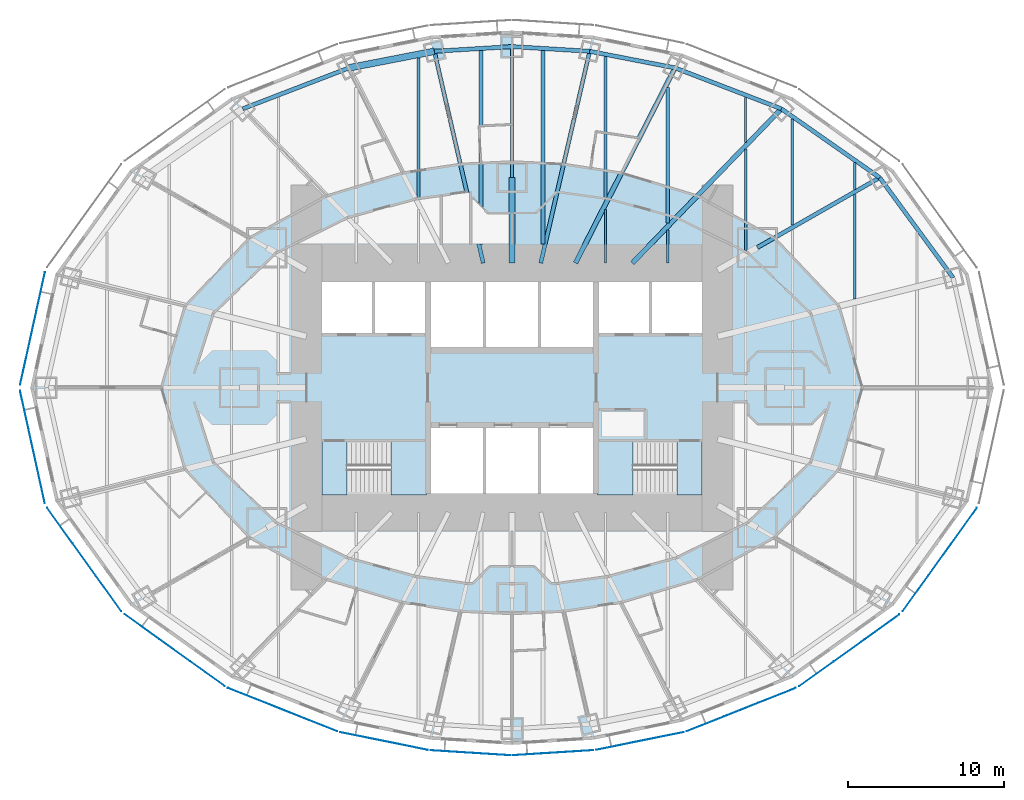
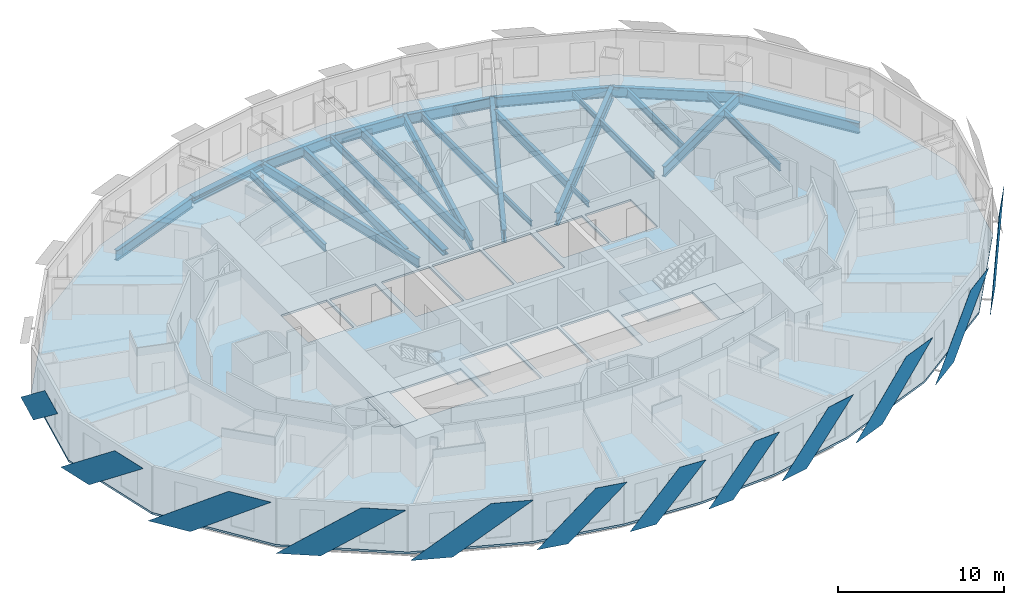
# One storey, part 3 of 15: 27 beams, 12 plates, 5 slabs, 2 elements without a shape of their own.
"""IFC4 building model written with IfcOpenShell, lengths in metres."""

from ifc_helpers import new_model, si_unit, direction, frame, origin, origin_2d, place, context, subcontext, project, spatial, polyline, i_section, outline, extrude, material, layer, layer_set, material_profile, profile_set, type_object, element, aggregate, save


model = new_model("IFC4")

# Units and contexts
model_context = context("Model", 3, precision=1e-05, world=origin(), true_north=direction((0.0, 1.0)))
body_context = subcontext(model_context, "Body", "Model", "MODEL_VIEW")
ifc_project = project(units=[si_unit("LENGTHUNIT", "METRE"), si_unit("AREAUNIT", "SQUARE_METRE"), si_unit("VOLUMEUNIT", "CUBIC_METRE"), si_unit("PLANEANGLEUNIT", "RADIAN"), si_unit("MASSUNIT", "GRAM", prefix="KILO")], contexts=[model_context])

# Site, building, storey
site_placement = place(None, origin())
site = spatial("IfcSite", under=ifc_project, at=site_placement, CompositionType="ELEMENT")
building_placement = place(site_placement, origin())
building = spatial("IfcBuilding", under=site, at=building_placement, Name="Lantaw Convention Tower", CompositionType="ELEMENT")
storey_placement = place(building_placement, frame((0.0, 0.0, 101.800048828125)))
storey = spatial("IfcBuildingStorey", under=building, at=storey_placement, Name="L24", CompositionType="ELEMENT", Elevation=101.800048828125)

# Beams
ifc_material_1 = material(Name="Steel ASTM A992", Category="steel")
ifc_material_profile_1 = material_profile(ifc_material_1, i_section(OverallWidth=0.431884765625, OverallDepth=0.497802734375, WebThickness=0.0556640625, FlangeThickness=0.0888671875, FilletRadius=0.01513671875, at=origin_2d()), Name="W14X500")
ifc_profile_set_1 = profile_set([ifc_material_profile_1], Name="Steel ASTM A992")
beam_type_1 = type_object("IfcBeamType", Name="Beam E W14X500", PredefinedType="SPANDREL", material=ifc_profile_set_1)
beam_1_placement = place(storey_placement, frame((-4.986328125, 21.59814453125, -0.39892578125), z_axis=(-0.981636565323, -0.190760723474, 0.0), x_axis=(0.190760723474, -0.981636565323, 0.0)))
element("IfcBeam", 1, at=beam_1_placement, inside=storey, type_object=beam_type_1, Name="Edge beam 8", PredefinedType="SPANDREL", context=body_context, shape_type="SweptSolid", body=[
    extrude(i_section(OverallWidth=0.431884765625, OverallDepth=0.497802734375, WebThickness=0.0556640625, FlangeThickness=0.0888671875, FilletRadius=0.01513671875, at=origin_2d()), origin(), (0.0, 0.0, 1.0), 5.578857421875),
])
ifc_material_profile_2 = material_profile(ifc_material_1, i_section(OverallWidth=0.2666015625, OverallDepth=0.76953125, WebThickness=0.015625, FlangeThickness=0.025390625, FilletRadius=0.0126953125, at=origin_2d()), Name="W30X132")
ifc_profile_set_2 = profile_set([ifc_material_profile_2], Name="Steel ASTM A992")
beam_type_2 = type_object("IfcBeamType", Name="Beam E W30X132", PredefinedType="SPANDREL", material=ifc_profile_set_2)
beam_2_placement = place(storey_placement, frame((28.31787109375, 7.060302734375, -0.534912109375), z_axis=(-0.591270709086, 0.806473154281, 0.0), x_axis=(-0.806473154281, -0.591270709086, 0.0)))
element("IfcBeam", 2, at=beam_2_placement, inside=storey, type_object=beam_type_2, Name="Edge beam 2", PredefinedType="SPANDREL", context=body_context, shape_type="SweptSolid", body=[
    extrude(i_section(OverallWidth=0.2666015625, OverallDepth=0.76953125, WebThickness=0.015625, FlangeThickness=0.025390625, FilletRadius=0.0126953125, at=origin_2d()), origin(), (0.0, 0.0, 1.0), 7.970703125),
])
beam_3_placement = place(storey_placement, frame((23.60498046875, 13.488525390625, -0.534912109375), z_axis=(-0.81942686407, 0.57318375277, 0.0), x_axis=(-0.57318375277, -0.81942686407, 0.0)))
element("IfcBeam", 3, at=beam_3_placement, inside=storey, type_object=beam_type_2, Name="Edge beam 3", PredefinedType="SPANDREL", context=body_context, shape_type="SweptSolid", body=[
    extrude(i_section(OverallWidth=0.2666015625, OverallDepth=0.76953125, WebThickness=0.015625, FlangeThickness=0.025390625, FilletRadius=0.0126953125, at=origin_2d()), origin(), (0.0, 0.0, 1.0), 7.70556640625),
])
beam_4_placement = place(storey_placement, frame((17.290771484375, 17.9052734375, -0.534912109375), z_axis=(-0.933232900641, 0.359271976588, 0.0), x_axis=(-0.359271976588, -0.933232900641, 0.0)))
element("IfcBeam", 4, at=beam_4_placement, inside=storey, type_object=beam_type_2, Name="Edge beam 4", PredefinedType="SPANDREL", context=body_context, shape_type="SweptSolid", body=[
    extrude(i_section(OverallWidth=0.2666015625, OverallDepth=0.76953125, WebThickness=0.015625, FlangeThickness=0.025390625, FilletRadius=0.0126953125, at=origin_2d()), origin(), (0.0, 0.0, 1.0), 7.316650390625),
])
beam_5_placement = place(storey_placement, frame((10.462646484375, 20.533935546875, -0.534912109375), z_axis=(-0.981636565323, 0.190760723474, 0.0), x_axis=(-0.190760723474, -0.981636565323, 0.0)))
element("IfcBeam", 5, at=beam_5_placement, inside=storey, type_object=beam_type_2, Name="Edge beam 5", PredefinedType="SPANDREL", context=body_context, shape_type="SweptSolid", body=[
    extrude(i_section(OverallWidth=0.2666015625, OverallDepth=0.76953125, WebThickness=0.015625, FlangeThickness=0.025390625, FilletRadius=0.0126953125, at=origin_2d()), origin(), (0.0, 0.0, 1.0), 5.578857421875),
])
for number, where, z_axis, x_axis, name in (
    (6, (4.986328125, 21.59814453125, -0.534912109375), (-0.998173858406, 0.060406526096, 0.0), (-0.060406526096, -0.998173858406, 0.0), "Edge beam 6"),
    (7, (0.0, 21.89990234375, -0.534912109375), (-0.998173858406, -0.060406526096, 0.0), (0.060406526096, -0.998173858406, 0.0), "Edge beam 7"),
):
    element("IfcBeam", number, at=place(storey_placement, frame(where, z_axis=z_axis, x_axis=x_axis)), inside=storey, type_object=beam_type_2, Name=name, PredefinedType="SPANDREL", context=body_context, shape_type="SweptSolid", body=[
        extrude(i_section(OverallWidth=0.2666015625, OverallDepth=0.76953125, WebThickness=0.015625, FlangeThickness=0.025390625, FilletRadius=0.0126953125, at=origin_2d()), origin(), (0.0, 0.0, 1.0), 4.995361328125),
    ])
beam_6_placement = place(storey_placement, frame((-10.462646484375, 20.533935546875, -0.534912109375), z_axis=(-0.933232900641, -0.359271976588, 0.0), x_axis=(0.359271976588, -0.933232900641, 0.0)))
element("IfcBeam", 8, at=beam_6_placement, inside=storey, type_object=beam_type_2, Name="Edge beam 9", PredefinedType="SPANDREL", context=body_context, shape_type="SweptSolid", body=[
    extrude(i_section(OverallWidth=0.2666015625, OverallDepth=0.76953125, WebThickness=0.015625, FlangeThickness=0.025390625, FilletRadius=0.0126953125, at=origin_2d()), origin(), (0.0, 0.0, 1.0), 7.316650390625),
])
ifc_material_profile_3 = material_profile(ifc_material_1, i_section(OverallWidth=0.1650390625, OverallDepth=0.52587890625, WebThickness=0.0087890625, FlangeThickness=0.011474609375, FilletRadius=0.0126953125, at=origin_2d()), Name="W21X44")
ifc_profile_set_3 = profile_set([ifc_material_profile_3], Name="Steel ASTM A992")
beam_type_3 = type_object("IfcBeamType", Name="Beam G W21X44", PredefinedType="BEAM", material=ifc_profile_set_3)
beam_7_placement = place(storey_placement, frame((0.0, 13.5, -0.412841796875), z_axis=(0.0, 1.0, 0.0), x_axis=(-1.0, 0.0, 0.0)))
element("IfcBeam", 9, at=beam_7_placement, inside=storey, type_object=beam_type_3, Name="Floor girder on ray 7", PredefinedType="BEAM", context=body_context, shape_type="SweptSolid", body=[
    extrude(i_section(OverallWidth=0.1650390625, OverallDepth=0.52587890625, WebThickness=0.0087890625, FlangeThickness=0.011474609375, FilletRadius=0.0126953125, at=origin_2d()), origin(), (0.0, 0.0, 1.0), 8.39990234375),
])
ifc_material_profile_4 = material_profile(ifc_material_1, i_section(OverallWidth=0.25390625, OverallDepth=0.683349609375, WebThickness=0.012451171875, FlangeThickness=0.01904296875, FilletRadius=0.01513671875, at=origin_2d()), Name="W27X94")
ifc_profile_set_4 = profile_set([ifc_material_profile_4], Name="Steel ASTM A992")
beam_type_4 = type_object("IfcBeamType", Name="Beam G W27X94", PredefinedType="BEAM", material=ifc_profile_set_4)
for number, where, z_axis, x_axis, name in (
    (10, (1.846923828125, 8.0, -0.49169921875), (0.224952773175, 0.97436966796, 0.0), (-0.97436966796, 0.224952773175, 0.0), "Floor girder on ray 6"),
    (11, (-1.846923828125, 8.0, -0.49169921875), (-0.224952773175, 0.97436966796, 0.0), (-0.97436966796, -0.224952773175, 0.0), "Floor girder on ray 8"),
):
    element("IfcBeam", number, at=place(storey_placement, frame(where, z_axis=z_axis, x_axis=x_axis)), inside=storey, type_object=beam_type_4, Name=name, PredefinedType="BEAM", context=body_context, shape_type="SweptSolid", body=[
        extrude(i_section(OverallWidth=0.25390625, OverallDepth=0.683349609375, WebThickness=0.012451171875, FlangeThickness=0.01904296875, FilletRadius=0.01513671875, at=origin_2d()), origin(), (0.0, 0.0, 1.0), 13.955810546875),
    ])
ifc_material_profile_5 = material_profile(ifc_material_1, i_section(OverallWidth=0.2666015625, OverallDepth=0.7568359375, WebThickness=0.013916015625, FlangeThickness=0.019287109375, FilletRadius=0.0126953125, at=origin_2d()), Name="W30X108")
ifc_profile_set_5 = profile_set([ifc_material_profile_5], Name="Steel ASTM A992")
beam_type_5 = type_object("IfcBeamType", Name="Beam G W30X108", PredefinedType="BEAM", material=ifc_profile_set_5)
beam_8_placement = place(storey_placement, frame((15.75, 9.0, -0.528564453125), z_axis=(0.868244802791, 0.496136032179, 0.0), x_axis=(-0.496136032179, 0.868244802791, 0.0)))
element("IfcBeam", 12, at=beam_8_placement, inside=storey, type_object=beam_type_5, Name="Floor girder on ray 3", PredefinedType="BEAM", context=body_context, shape_type="SweptSolid", body=[
    extrude(i_section(OverallWidth=0.2666015625, OverallDepth=0.7568359375, WebThickness=0.013916015625, FlangeThickness=0.019287109375, FilletRadius=0.0126953125, at=origin_2d()), origin(), (0.0, 0.0, 1.0), 9.046875),
])
ifc_material_profile_6 = material_profile(ifc_material_1, i_section(OverallWidth=0.307373046875, OverallDepth=0.922119140625, WebThickness=0.018310546875, FlangeThickness=0.030029296875, FilletRadius=0.0126953125, at=origin_2d()), Name="W36X182")
ifc_profile_set_6 = profile_set([ifc_material_profile_6], Name="Steel ASTM A992")
beam_type_6 = type_object("IfcBeamType", Name="Beam G W36X182", PredefinedType="BEAM", material=ifc_profile_set_6)
beam_9_placement = place(storey_placement, frame((7.7255859375, 8.0, -0.611083984375), z_axis=(0.694649884291, 0.719347995239, 0.0), x_axis=(-0.719347995239, 0.694649884291, 0.0)))
element("IfcBeam", 13, at=beam_9_placement, inside=storey, type_object=beam_type_6, Name="Floor girder on ray 4", PredefinedType="BEAM", context=body_context, shape_type="SweptSolid", body=[
    extrude(i_section(OverallWidth=0.307373046875, OverallDepth=0.922119140625, WebThickness=0.018310546875, FlangeThickness=0.030029296875, FilletRadius=0.0126953125, at=origin_2d()), origin(), (0.0, 0.0, 1.0), 13.769775390625),
])
beam_10_placement = place(storey_placement, frame((4.076171875, 8.0, -0.611083984375), z_axis=(0.453997016122, 0.891003203896, 0.0), x_axis=(-0.891003203896, 0.453997016122, 0.0)))
element("IfcBeam", 14, at=beam_10_placement, inside=storey, type_object=beam_type_6, Name="Floor girder on ray 5", PredefinedType="BEAM", context=body_context, shape_type="SweptSolid", body=[
    extrude(i_section(OverallWidth=0.307373046875, OverallDepth=0.922119140625, WebThickness=0.018310546875, FlangeThickness=0.030029296875, FilletRadius=0.0126953125, at=origin_2d()), origin(), (0.0, 0.0, 1.0), 14.067138671875),
])
ifc_material_profile_7 = material_profile(ifc_material_1, i_section(OverallWidth=0.40380859375, OverallDepth=0.406494140625, WebThickness=0.027099609375, FlangeThickness=0.043701171875, FilletRadius=0.01513671875, at=origin_2d()), Name="W14X233")
ifc_profile_set_7 = profile_set([ifc_material_profile_7], Name="Steel ASTM A992")
beam_type_7 = type_object("IfcBeamType", Name="Beam GM W14X233", PredefinedType="BEAM", material=ifc_profile_set_7)
beam_11_placement = place(storey_placement, frame((0.0, 8.0, -0.353271484375), z_axis=(0.0, 1.0, 0.0), x_axis=(-1.0, 0.0, 0.0)))
element("IfcBeam", 15, at=beam_11_placement, inside=storey, type_object=beam_type_7, Name="Core link beam on ray 7", PredefinedType="BEAM", context=body_context, shape_type="SweptSolid", body=[
    extrude(i_section(OverallWidth=0.40380859375, OverallDepth=0.406494140625, WebThickness=0.027099609375, FlangeThickness=0.043701171875, FilletRadius=0.01513671875, at=origin_2d()), origin(), (0.0, 0.0, 1.0), 5.5),
])
ifc_material_profile_8 = material_profile(ifc_material_1, i_section(OverallWidth=0.140380859375, OverallDepth=0.40380859375, WebThickness=0.007080078125, FlangeThickness=0.01123046875, FilletRadius=0.01025390625, at=origin_2d()), Name="W16X31")
ifc_profile_set_8 = profile_set([ifc_material_profile_8], Name="Steel ASTM A992")
beam_type_8 = type_object("IfcBeamType", Name="Beam J W16X31", PredefinedType="JOIST", material=ifc_profile_set_8)
beam_12_placement = place(storey_placement, frame((6.0, 8.0, -0.35205078125), z_axis=(0.0, 1.0, 0.0), x_axis=(-1.0, 0.0, 0.0)))
element("IfcBeam", 16, at=beam_12_placement, inside=storey, type_object=beam_type_8, Name="Floor joist", PredefinedType="JOIST", context=body_context, shape_type="SweptSolid", body=[
    extrude(i_section(OverallWidth=0.140380859375, OverallDepth=0.40380859375, WebThickness=0.007080078125, FlangeThickness=0.01123046875, FilletRadius=0.01025390625, at=origin_2d()), origin(), (0.0, 0.0, 1.0), 3.437255859375),
])
beam_13_placement = place(storey_placement, frame((10.0, 8.0, -0.35205078125), z_axis=(0.0, 1.0, 0.0), x_axis=(-1.0, 0.0, 0.0)))
element("IfcBeam", 17, at=beam_13_placement, inside=storey, type_object=beam_type_8, Name="Floor joist", PredefinedType="JOIST", context=body_context, shape_type="SweptSolid", body=[
    extrude(i_section(OverallWidth=0.140380859375, OverallDepth=0.40380859375, WebThickness=0.007080078125, FlangeThickness=0.01123046875, FilletRadius=0.01025390625, at=origin_2d()), origin(), (0.0, 0.0, 1.0), 2.134033203125),
])
beam_14_placement = place(storey_placement, frame((15.0, 15.754150390625, -0.35205078125), z_axis=(0.0, 1.0, 0.0), x_axis=(-1.0, 0.0, 0.0)))
element("IfcBeam", 18, at=beam_14_placement, inside=storey, type_object=beam_type_8, Name="Floor joist", PredefinedType="JOIST", context=body_context, shape_type="SweptSolid", body=[
    extrude(i_section(OverallWidth=0.140380859375, OverallDepth=0.40380859375, WebThickness=0.007080078125, FlangeThickness=0.01123046875, FilletRadius=0.01025390625, at=origin_2d()), origin(), (0.0, 0.0, 1.0), 2.89013671875),
])
beam_15_placement = place(storey_placement, frame((22.0, 12.72509765625, -0.35205078125), z_axis=(0.0, 1.0, 0.0), x_axis=(-1.0, 0.0, 0.0)))
element("IfcBeam", 19, at=beam_15_placement, inside=storey, type_object=beam_type_8, Name="Floor joist", PredefinedType="JOIST", context=body_context, shape_type="SweptSolid", body=[
    extrude(i_section(OverallWidth=0.140380859375, OverallDepth=0.40380859375, WebThickness=0.007080078125, FlangeThickness=0.01123046875, FilletRadius=0.01025390625, at=origin_2d()), origin(), (0.0, 0.0, 1.0), 1.723388671875),
])
ifc_material_profile_9 = material_profile(ifc_material_1, i_section(OverallWidth=0.1650390625, OverallDepth=0.52587890625, WebThickness=0.0087890625, FlangeThickness=0.011474609375, FilletRadius=0.0126953125, at=origin_2d()), Name="W21X44")
ifc_profile_set_9 = profile_set([ifc_material_profile_9], Name="Steel ASTM A992")
beam_type_9 = type_object("IfcBeamType", Name="Beam J W21X44", PredefinedType="JOIST", material=ifc_profile_set_9)
beam_16_placement = place(storey_placement, frame((15.0, 8.803955078125, -0.412841796875), z_axis=(0.0, 1.0, 0.0), x_axis=(-1.0, 0.0, 0.0)))
element("IfcBeam", 20, at=beam_16_placement, inside=storey, type_object=beam_type_9, Name="Floor joist", PredefinedType="JOIST", context=body_context, shape_type="SweptSolid", body=[
    extrude(i_section(OverallWidth=0.1650390625, OverallDepth=0.52587890625, WebThickness=0.0087890625, FlangeThickness=0.011474609375, FilletRadius=0.0126953125, at=origin_2d()), origin(), (0.0, 0.0, 1.0), 6.5078125),
])
beam_17_placement = place(storey_placement, frame((18.0, 10.439208984375, -0.412841796875), z_axis=(0.0, 1.0, 0.0), x_axis=(-1.0, 0.0, 0.0)))
element("IfcBeam", 21, at=beam_17_placement, inside=storey, type_object=beam_type_9, Name="Floor joist", PredefinedType="JOIST", context=body_context, shape_type="SweptSolid", body=[
    extrude(i_section(OverallWidth=0.1650390625, OverallDepth=0.52587890625, WebThickness=0.0087890625, FlangeThickness=0.011474609375, FilletRadius=0.0126953125, at=origin_2d()), origin(), (0.0, 0.0, 1.0), 6.80712890625),
])
beam_18_placement = place(storey_placement, frame((22.0, 5.693359375, -0.412841796875), z_axis=(0.0, 1.0, 0.0), x_axis=(-1.0, 0.0, 0.0)))
element("IfcBeam", 22, at=beam_18_placement, inside=storey, type_object=beam_type_9, Name="Floor joist", PredefinedType="JOIST", context=body_context, shape_type="SweptSolid", body=[
    extrude(i_section(OverallWidth=0.1650390625, OverallDepth=0.52587890625, WebThickness=0.0087890625, FlangeThickness=0.011474609375, FilletRadius=0.0126953125, at=origin_2d()), origin(), (0.0, 0.0, 1.0), 6.724609375),
])
ifc_material_profile_10 = material_profile(ifc_material_1, i_section(OverallWidth=0.2099609375, OverallDepth=0.535888671875, WebThickness=0.010986328125, FlangeThickness=0.017333984375, FilletRadius=0.012939453125, at=origin_2d()), Name="W21X68")
ifc_profile_set_10 = profile_set([ifc_material_profile_10], Name="Steel ASTM A992")
beam_type_10 = type_object("IfcBeamType", Name="Beam J W21X68", PredefinedType="JOIST", material=ifc_profile_set_10)
beam_19_placement = place(storey_placement, frame((-6.0, 12.1142578125, -0.41796875), z_axis=(0.0, 1.0, 0.0), x_axis=(-1.0, 0.0, 0.0)))
element("IfcBeam", 23, at=beam_19_placement, inside=storey, type_object=beam_type_10, Name="Floor joist", PredefinedType="JOIST", context=body_context, shape_type="SweptSolid", body=[
    extrude(i_section(OverallWidth=0.2099609375, OverallDepth=0.535888671875, WebThickness=0.010986328125, FlangeThickness=0.017333984375, FilletRadius=0.012939453125, at=origin_2d()), origin(), (0.0, 0.0, 1.0), 9.06689453125),
])
beam_20_placement = place(storey_placement, frame((6.0, 12.1142578125, -0.41796875), z_axis=(0.0, 1.0, 0.0), x_axis=(-1.0, 0.0, 0.0)))
element("IfcBeam", 24, at=beam_20_placement, inside=storey, type_object=beam_type_10, Name="Floor joist", PredefinedType="JOIST", context=body_context, shape_type="SweptSolid", body=[
    extrude(i_section(OverallWidth=0.2099609375, OverallDepth=0.535888671875, WebThickness=0.010986328125, FlangeThickness=0.017333984375, FilletRadius=0.012939453125, at=origin_2d()), origin(), (0.0, 0.0, 1.0), 9.15087890625),
])
ifc_material_profile_11 = material_profile(ifc_material_1, i_section(OverallWidth=0.227783203125, OverallDepth=0.60205078125, WebThickness=0.010498046875, FlangeThickness=0.014892578125, FilletRadius=0.012939453125, at=origin_2d()), Name="W24X68")
ifc_profile_set_11 = profile_set([ifc_material_profile_11], Name="Steel ASTM A992")
beam_type_11 = type_object("IfcBeamType", Name="Beam J W24X68", PredefinedType="JOIST", material=ifc_profile_set_11)
beam_21_placement = place(storey_placement, frame((10.0, 10.576416015625, -0.450927734375), z_axis=(0.0, 1.0, 0.0), x_axis=(-1.0, 0.0, 0.0)))
element("IfcBeam", 25, at=beam_21_placement, inside=storey, type_object=beam_type_11, Name="Floor joist", PredefinedType="JOIST", context=body_context, shape_type="SweptSolid", body=[
    extrude(i_section(OverallWidth=0.227783203125, OverallDepth=0.60205078125, WebThickness=0.010498046875, FlangeThickness=0.014892578125, FilletRadius=0.012939453125, at=origin_2d()), origin(), (0.0, 0.0, 1.0), 8.711181640625),
])
ifc_material_profile_12 = material_profile(ifc_material_1, i_section(OverallWidth=0.25390625, OverallDepth=0.700927734375, WebThickness=0.015380859375, FlangeThickness=0.02783203125, FilletRadius=0.01513671875, at=origin_2d()), Name="W27X129")
ifc_profile_set_12 = profile_set([ifc_material_profile_12], Name="Steel ASTM A992")
beam_type_12 = type_object("IfcBeamType", Name="Beam J W27X129", PredefinedType="JOIST", material=ifc_profile_set_12)
for number, where, z_axis, x_axis, name in (
    (26, (-2.0, 9.2275390625, -0.50048828125), (0.0, 1.0, 0.0), (-1.0, 0.0, 0.0), "Floor joist"),
    (27, (2.0, 9.2275390625, -0.50048828125), (0.0, 1.0, 0.0), (-1.0, 0.0, 0.0), "Floor joist"),
):
    element("IfcBeam", number, at=place(storey_placement, frame(where, z_axis=z_axis, x_axis=x_axis)), inside=storey, type_object=beam_type_12, Name=name, PredefinedType="JOIST", context=body_context, shape_type="SweptSolid", body=[
        extrude(i_section(OverallWidth=0.25390625, OverallDepth=0.700927734375, WebThickness=0.015380859375, FlangeThickness=0.02783203125, FilletRadius=0.01513671875, at=origin_2d()), origin(), (0.0, 0.0, 1.0), 12.417724609375),
    ])

# Slab
ifc_material_2 = material(Name="Concrete C35/45", Category="concrete")
ifc_layer_1 = layer(ifc_material_2, 0.14990234375)
ifc_layer_set_1 = layer_set([ifc_layer_1], Name="Floor slab 150")
slab_type_1 = type_object("IfcSlabType", Name="Floor slab 150", PredefinedType="FLOOR", material=ifc_layer_set_1)
slab_1_placement = place(storey_placement, frame((0.0, 0.0, -0.150146484375)))
element("IfcSlab", 28, at=slab_1_placement, inside=storey, type_object=slab_type_1, Name="L24 floor slab", PredefinedType="FLOOR", context=body_context, shape_type="SweptSolid", body=[
    extrude(outline(polyline([(29.315185546875, -7.29541015625), (30.923095703125, 0.0), (29.315185546875, 7.29541015625), (24.50634765625, 13.98046875), (18.018798828125, 18.630126953125), (10.9404296875, 21.44189453125), (5.223876953125, 22.59521484375), (0.0, 22.9248046875), (-5.223876953125, 22.59521484375), (-10.9404296875, 21.44189453125), (-18.018798828125, 18.630126953125), (-24.50634765625, 13.98046875), (-29.315185546875, 7.29541015625), (-30.923095703125, 0.0), (-29.315185546875, -7.29541015625), (-24.50634765625, -13.98046875), (-18.018798828125, -18.630126953125), (-10.9404296875, -21.44189453125), (-5.223876953125, -22.59521484375), (0.0, -22.9248046875), (5.223876953125, -22.59521484375), (10.9404296875, -21.44189453125), (18.018798828125, -18.630126953125), (24.50634765625, -13.98046875), (29.315185546875, -7.29541015625)]), holes=[polyline([(-5.60009765625, -3.5), (-12.199951171875, -3.5), (-12.199951171875, -6.800048828125), (-5.60009765625, -6.800048828125), (-5.60009765625, -3.5)]), polyline([(-1.86669921875, -6.800048828125), (-1.86669921875, -2.60009765625), (-5.199951171875, -2.60009765625), (-5.199951171875, -6.800048828125), (-1.86669921875, -6.800048828125)]), polyline([(-1.86669921875, 2.60009765625), (-1.86669921875, 6.800048828125), (-5.199951171875, 6.800048828125), (-5.199951171875, 2.60009765625), (-1.86669921875, 2.60009765625)]), polyline([(1.666748046875, 6.800048828125), (-1.666748046875, 6.800048828125), (-1.666748046875, 2.60009765625), (1.666748046875, 2.60009765625), (1.666748046875, 6.800048828125)]), polyline([(-9.0, 3.5), (-9.0, 6.800048828125), (-12.199951171875, 6.800048828125), (-12.199951171875, 3.5), (-9.0, 3.5)]), polyline([(-5.60009765625, 3.5), (-5.60009765625, 6.800048828125), (-8.800048828125, 6.800048828125), (-8.800048828125, 3.5), (-5.60009765625, 3.5)]), polyline([(12.199951171875, -3.5), (5.60009765625, -3.5), (5.60009765625, -6.800048828125), (12.199951171875, -6.800048828125), (12.199951171875, -3.5)]), polyline([(1.666748046875, -6.800048828125), (1.666748046875, -2.60009765625), (-1.666748046875, -2.60009765625), (-1.666748046875, -6.800048828125), (1.666748046875, -6.800048828125)]), polyline([(5.199951171875, -6.800048828125), (5.199951171875, -2.60009765625), (1.86669921875, -2.60009765625), (1.86669921875, -6.800048828125), (5.199951171875, -6.800048828125)]), polyline([(5.199951171875, 6.800048828125), (1.86669921875, 6.800048828125), (1.86669921875, 2.60009765625), (5.199951171875, 2.60009765625), (5.199951171875, 6.800048828125)]), polyline([(8.800048828125, 3.5), (8.800048828125, 6.800048828125), (5.60009765625, 6.800048828125), (5.60009765625, 3.5), (8.800048828125, 3.5)]), polyline([(12.199951171875, 3.5), (12.199951171875, 6.800048828125), (9.0, 6.800048828125), (9.0, 3.5), (12.199951171875, 3.5)])]), origin(), (0.0, 0.0, 1.0), 0.150146484375),
])

# Plates
ifc_material_3 = material(Name="Perforated aluminium sheet, pale silver finish", Category="aluminium")
ifc_layer_2 = layer(ifc_material_3, 0.006103515625)
ifc_layer_set_2 = layer_set([ifc_layer_2], Name="Perforated aluminium solar SCREEN panel")
plate_type = type_object("IfcPlateType", Name="Perforated aluminium solar SCREEN panel", PredefinedType="SHEET", material=ifc_layer_set_2)
plate_1_placement = place(storey_placement, frame((-29.98779296875, 7.408203125, -0.175048828125), z_axis=(-0.976559435574, 0.215247921851, 3.0498091e-05), x_axis=(-0.215247921951, -0.976559436028, -3.14e-10)))
element("IfcPlate", 29, at=plate_1_placement, inside=storey, type_object=plate_type, Name="Solar SCREEN panel", PredefinedType="SHEET", context=body_context, shape_type="SweptSolid", body=[
    extrude(outline(polyline([(0.0, 0.0), (2.5507637944980073, 3.3881317890172014e-21), (7.40249825065126, 3.7150878946783354), (4.851496038322192, 3.715087893075563), (0.0, 0.0)])), origin(), (0.0, 0.0, -1.0), 0.006103515625),
])
plate_2_placement = place(storey_placement, frame((-31.5810546875, -0.17919921875, -0.175048828125), z_axis=(0.976559435574, 0.215247921851, 3.0498091e-05), x_axis=(0.215247921951, -0.976559436028, 3.14e-10)))
element("IfcPlate", 30, at=plate_2_placement, inside=storey, type_object=plate_type, Name="Solar SCREEN panel", PredefinedType="SHEET", context=body_context, shape_type="SweptSolid", body=[
    extrude(outline(polyline([(0.0, 0.0), (2.551002212329069, 0.0), (7.402498252985417, -3.715087890027409), (4.851734458487411, -3.7150878916300325), (0.0, 0.0)])), origin(), (0.0, 0.0, -1.0), 0.006103515625),
])
plate_3_placement = place(storey_placement, frame((-29.847900390625, -7.720947265625, -0.175048828125), z_axis=(-0.811791382612, -0.583947558462, 9.079724e-06), x_axis=(0.583947558486, -0.811791382646, 0.0)))
element("IfcPlate", 31, at=plate_3_placement, inside=storey, type_object=plate_type, Name="Solar SCREEN panel", PredefinedType="SHEET", context=body_context, shape_type="SweptSolid", body=[
    extrude(outline(polyline([(0.0, 0.0), (2.809541672291133, -1.6940658945086007e-21), (8.163093158837512, 3.715087890778139), (5.353551486546379, 3.715087890778139), (0.0, 0.0)])), origin(), (0.0, 0.0, -1.0), 0.006103515625),
])
plate_4_placement = place(storey_placement, frame((-24.872314453125, -14.555908203125, -0.175048828125), z_axis=(-0.582561421997, -0.81278668133, 1.5925455e-05), x_axis=(0.812786681433, -0.582561422071, 0.0)))
element("IfcPlate", 32, at=plate_4_placement, inside=storey, type_object=plate_type, Name="Solar SCREEN panel", PredefinedType="SHEET", context=body_context, shape_type="SweptSolid", body=[
    extrude(outline(polyline([(0.0, 0.0), (2.721095180812288, 0.0), (7.903118572410756, 3.715087891096111), (5.182023391598468, 3.715087891096111), (0.0, 0.0)])), origin(), (0.0, 0.0, -1.0), 0.006103515625),
])
plate_5_placement = place(storey_placement, frame((-18.232177734375, -19.278076171875, -0.175048828125), z_axis=(0.369183532846, 0.929356508015, 9.224718e-06), x_axis=(0.929356508055, -0.369183532862, 0.0)))
element("IfcPlate", 33, at=plate_5_placement, inside=storey, type_object=plate_type, Name="Solar SCREEN panel", PredefinedType="SHEET", context=body_context, shape_type="SweptSolid", body=[
    extrude(outline(polyline([(0.0, 0.0), (2.594936467166582, 0.0), (7.5321069917580825, -3.7150878907830682), (4.937170524591499, -3.7150878907830682), (0.0, 0.0)])), origin(), (0.0, 0.0, -1.0), 0.006103515625),
])
plate_6_placement = place(storey_placement, frame((-11.03271484375, -22.117919921875, -0.175048828125), z_axis=(0.197781876197, 0.980246055561, 2.434747e-06), x_axis=(0.980246055563, -0.197781876198, 1.47e-10)))
element("IfcPlate", 34, at=plate_6_placement, inside=storey, type_object=plate_type, Name="Solar SCREEN panel", PredefinedType="SHEET", context=body_context, shape_type="SweptSolid", body=[
    extrude(outline(polyline([(0.0, 0.0), (1.9867801772236329, -1.0587911840678754e-22), (5.743587245978565, -3.7150878897937787), (3.7568553553458006, -3.71508789037645), (0.0, 0.0)])), origin(), (0.0, 0.0, -1.0), 0.006103515625),
])
plate_7_placement = place(storey_placement, frame((-5.221923828125, -23.27783203125, -0.175048828125), z_axis=(0.062923905251, 0.998018327467, 1.3696694e-05), x_axis=(0.998018327561, -0.062923905257, 9.36e-10)))
element("IfcPlate", 35, at=plate_7_placement, inside=storey, type_object=plate_type, Name="Solar SCREEN panel", PredefinedType="SHEET", context=body_context, shape_type="SweptSolid", body=[
    extrude(outline(polyline([(0.0, 0.0), (1.7828375409377817, 0.0), (5.143985963027618, -3.7150878861589613), (3.3611637843713935, -3.7150878894962402), (0.0, 0.0)])), origin(), (0.0, 0.0, -1.0), 0.006103515625),
])
plate_8_placement = place(storey_placement, frame((0.088134765625, -23.6015625, -0.175048828125), z_axis=(0.062923905251, -0.998018327467, 1.3696694e-05), x_axis=(0.998018327561, 0.062923905257, -9.36e-10)))
element("IfcPlate", 36, at=plate_8_placement, inside=storey, type_object=plate_type, Name="Solar SCREEN panel", PredefinedType="SHEET", context=body_context, shape_type="SweptSolid", body=[
    extrude(outline(polyline([(0.0, 0.0), (1.782822178656225, -2.117582368135751e-22), (5.143985956073316, 3.715087895788029), (3.3611484151355353, 3.715087892450722), (0.0, 0.0)])), origin(), (0.0, 0.0, -1.0), 0.006103515625),
])
plate_9_placement = place(storey_placement, frame((5.402587890625, -23.25390625, -0.175048828125), z_axis=(0.197781876197, -0.980246055561, 2.434747e-06), x_axis=(0.980246055563, 0.197781876198, -1.47e-10)))
element("IfcPlate", 37, at=plate_9_placement, inside=storey, type_object=plate_type, Name="Solar SCREEN panel", PredefinedType="SHEET", context=body_context, shape_type="SweptSolid", body=[
    extrude(outline(polyline([(0.0, 0.0), (1.9867318906327642, 1.0587911840678754e-22), (5.743587244888999, 3.7150878914782655), (3.7568070676653664, 3.71508789089558), (0.0, 0.0)])), origin(), (0.0, 0.0, -1.0), 0.006103515625),
])
plate_10_placement = place(storey_placement, frame((11.232177734375, -22.058837890625, -0.175048828125), z_axis=(0.369183532846, -0.929356508015, 9.224718e-06), x_axis=(0.929356508055, 0.369183532862, 0.0)))
element("IfcPlate", 38, at=plate_10_placement, inside=storey, type_object=plate_type, Name="Solar SCREEN panel", PredefinedType="SHEET", context=body_context, shape_type="SweptSolid", body=[
    extrude(outline(polyline([(0.0, 0.0), (2.594936467166582, 0.0), (7.5321069917580825, 3.7150878907830682), (4.937170524591499, 3.7150878907830682), (0.0, 0.0)])), origin(), (0.0, 0.0, -1.0), 0.006103515625),
])
plate_11_placement = place(storey_placement, frame((18.44873046875, -19.159912109375, -0.175048828125), z_axis=(-0.582561421997, 0.81278668133, 1.5925455e-05), x_axis=(0.812786681433, 0.582561422071, 0.0)))
element("IfcPlate", 39, at=plate_11_placement, inside=storey, type_object=plate_type, Name="Solar SCREEN panel", PredefinedType="SHEET", context=body_context, shape_type="SweptSolid", body=[
    extrude(outline(polyline([(0.0, 0.0), (2.721095180812288, 0.0), (7.903118572410756, -3.715087891096111), (5.182023391598468, -3.715087891096111), (0.0, 0.0)])), origin(), (0.0, 0.0, -1.0), 0.006103515625),
])
plate_12_placement = place(storey_placement, frame((25.0810546875, -14.34765625, -0.175048828125), z_axis=(-0.811791382612, 0.583947558462, 9.079724e-06), x_axis=(0.583947558486, 0.811791382646, 0.0)))
element("IfcPlate", 40, at=plate_12_placement, inside=storey, type_object=plate_type, Name="Solar SCREEN panel", PredefinedType="SHEET", context=body_context, shape_type="SweptSolid", body=[
    extrude(outline(polyline([(0.0, 0.0), (2.809541672291133, 1.6940658945086007e-21), (8.163093158837512, -3.715087890778139), (5.353551486546379, -3.715087890778139), (0.0, 0.0)])), origin(), (0.0, 0.0, -1.0), 0.006103515625),
])

# Stair, slabs
stair_type = type_object("IfcStairType", Name="Exit stair 1500 riser 163.64 in 2 flights", PredefinedType="HALF_TURN_STAIR", material=ifc_material_2)
stair_1_placement = place(storey_placement, origin())
stair_1 = element("IfcStair", 41, at=stair_1_placement, inside=storey, type_object=stair_type, Name="Exit stair S1 L24", PredefinedType="HALF_TURN_STAIR")
ifc_layer_3 = layer(ifc_material_2, 0.199951171875)
ifc_layer_set_3 = layer_set([ifc_layer_3], Name="Stair landing 200")
slab_type_2 = type_object("IfcSlabType", Name="Stair landing 200", PredefinedType="LANDING", material=ifc_layer_set_3)
slab_2_placement = place(storey_placement, frame((0.0, 0.0, -0.199951171875)))
slab_2 = element("IfcSlab", 42, at=slab_2_placement, type_object=slab_type_2, Name="S1 landing 1", PredefinedType="LANDING", context=body_context, shape_type="SweptSolid", body=[
    extrude(outline(polyline([(-12.199951171875, -6.89990234375), (-10.580078125, -6.89990234375), (-10.580078125, -3.39990234375), (-12.199951171875, -3.39990234375), (-12.199951171875, -6.89990234375)])), origin(), (0.0, 0.0, 1.0), 0.199951171875),
])
slab_3_placement = place(storey_placement, frame((0.0, 0.0, 1.599853515625)))
slab_3 = element("IfcSlab", 43, at=slab_3_placement, type_object=slab_type_2, Name="S1 landing 2", PredefinedType="LANDING", context=body_context, shape_type="SweptSolid", body=[
    extrude(outline(polyline([(-7.780029296875, -6.89990234375), (-5.5, -6.89990234375), (-5.5, -3.39990234375), (-7.780029296875, -3.39990234375), (-7.780029296875, -6.89990234375)])), origin(), (0.0, 0.0, 1.0), 0.2001953125),
])
aggregate(stair_1, [slab_2, slab_3])

stair_2_placement = place(storey_placement, origin())
stair_2 = element("IfcStair", 44, at=stair_2_placement, inside=storey, type_object=stair_type, Name="Exit stair S2 L24", PredefinedType="HALF_TURN_STAIR")
slab_4_placement = place(storey_placement, frame((0.0, 0.0, -0.199951171875)))
slab_4 = element("IfcSlab", 45, at=slab_4_placement, type_object=slab_type_2, Name="S2 landing 1", PredefinedType="LANDING", context=body_context, shape_type="SweptSolid", body=[
    extrude(outline(polyline([(10.580078125, -6.89990234375), (12.199951171875, -6.89990234375), (12.199951171875, -3.39990234375), (10.580078125, -3.39990234375), (10.580078125, -6.89990234375)])), origin(), (0.0, 0.0, 1.0), 0.199951171875),
])
slab_5_placement = place(storey_placement, frame((0.0, 0.0, 1.599853515625)))
slab_5 = element("IfcSlab", 46, at=slab_5_placement, type_object=slab_type_2, Name="S2 landing 2", PredefinedType="LANDING", context=body_context, shape_type="SweptSolid", body=[
    extrude(outline(polyline([(5.5, -6.89990234375), (7.780029296875, -6.89990234375), (7.780029296875, -3.39990234375), (5.5, -3.39990234375), (5.5, -6.89990234375)])), origin(), (0.0, 0.0, 1.0), 0.2001953125),
])
aggregate(stair_2, [slab_4, slab_5])

save(model, "model.ifc")
